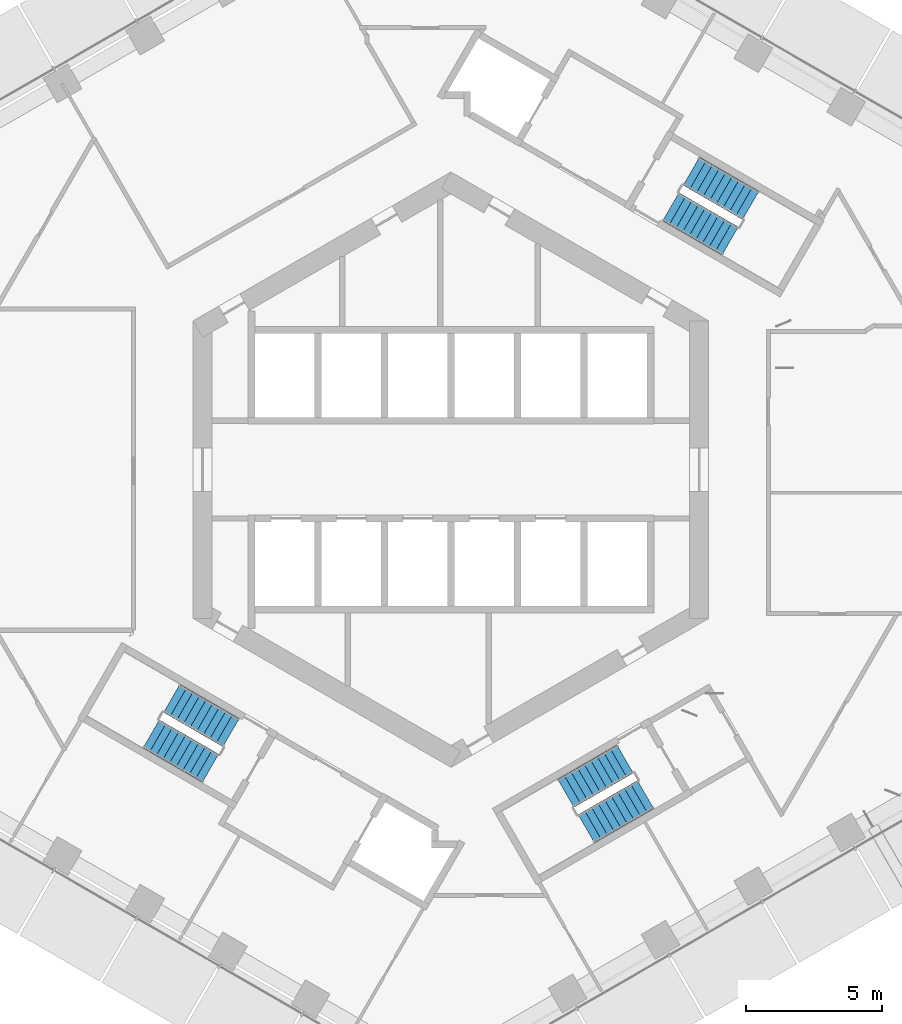
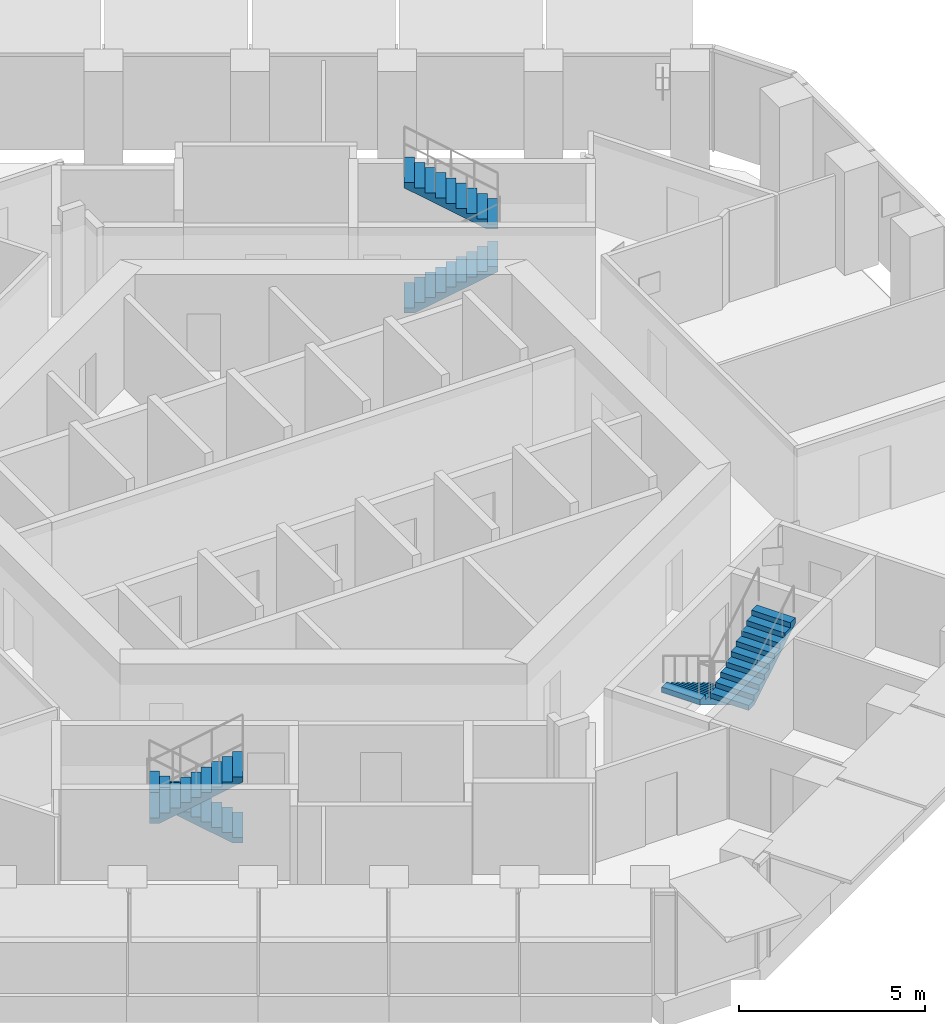
# One storey, part 19 of 21: 6 stair flights, 3 elements without a shape of their own.
"""IFC4 building model written with IfcOpenShell, lengths in metres."""

import ifcopenshell
import ifcopenshell.guid

model = None  # the IFC model being written
_history = None  # IfcOwnerHistory: only IFC2X3 demands one
_inside = {}  # id of a spatial element -> (the spatial element, [elements in it])
_under = {}  # id of a project, library or spatial element -> (it, [spatial elements below it])
_declared = {}  # id of a project -> (the project, [libraries it declares])
_typed = {}  # id of a type object -> (the type object, [elements of that type])
_made_of = {}  # id of a material, layer set ... -> (it, [elements and type objects made of it])


def new_model(schema):
    """Start an empty IFC model of exactly this schema.

    Asked for "IFC4X3", IfcOpenShell would pick the latest addendum, in which some entities
    have other attributes; the version numbers below select the first issue.
    IFC2X3 requires an IfcOwnerHistory on every rooted entity: one is made here for all.
    """
    global model, _history
    if schema == "IFC4X3":
        model = ifcopenshell.file(schema_version=(4, 3, 0, 0))
    else:
        model = ifcopenshell.file(schema=schema)
    _inside.clear()
    _under.clear()
    _declared.clear()
    _typed.clear()
    _made_of.clear()
    _history = None
    if model.schema == "IFC2X3":
        org = make("IfcOrganization", Name="unknown")
        user = make(
            "IfcPersonAndOrganization",
            ThePerson=make("IfcPerson", FamilyName="unknown"),
            TheOrganization=org,
        )
        app = make(
            "IfcApplication",
            ApplicationDeveloper=org,
            Version="unknown",
            ApplicationFullName="unknown",
            ApplicationIdentifier="unknown",
        )
        _history = make(
            "IfcOwnerHistory",
            OwningUser=user,
            OwningApplication=app,
            ChangeAction="ADDED",
            CreationDate=0,
        )
    return model


def make(cls, **values):
    """One entity of the class cls with the attributes given. An attribute that is None is left unset."""
    return model.create_entity(
        cls, **{name: value for name, value in values.items() if value is not None}
    )


def rooted(cls, **values):
    """An entity with a GlobalId (a new one), such as an element, a storey or a relation."""
    return make(cls, GlobalId=ifcopenshell.guid.new(), OwnerHistory=_history, **values)


def si_unit(unit_type, name, prefix=None):
    """IfcSIUnit, for example si_unit("LENGTHUNIT", "METRE", prefix="MILLI")."""
    return make("IfcSIUnit", UnitType=unit_type, Prefix=prefix, Name=name)


def assignment(units):
    """IfcUnitAssignment: the units of a project."""
    return None if units is None else make("IfcUnitAssignment", Units=units)


def point(xyz):
    """IfcCartesianPoint."""
    return None if xyz is None else make("IfcCartesianPoint", Coordinates=xyz)


def direction(xyz):
    """IfcDirection."""
    return None if xyz is None else make("IfcDirection", DirectionRatios=xyz)


def frame(location, z_axis=None, x_axis=None):
    """IfcAxis2Placement3D, a coordinate frame: its origin and axes. An axis left out is left unset."""
    return make(
        "IfcAxis2Placement3D",
        Location=point(location),
        Axis=direction(z_axis),
        RefDirection=direction(x_axis),
    )


def origin():
    """The frame at (0, 0, 0) with its axes left unset."""
    return frame((0.0, 0.0, 0.0))


def place(relative_to, where):
    """IfcLocalPlacement: puts the frame where relative to a parent placement (None: the world)."""
    return make(
        "IfcLocalPlacement", PlacementRelTo=relative_to, RelativePlacement=where
    )


def context(
    kind, dimensions, precision=None, world=None, true_north=None, identifier=None
):
    """IfcGeometricRepresentationContext, for example the 3D "Model" context."""
    return make(
        "IfcGeometricRepresentationContext",
        ContextIdentifier=identifier,
        ContextType=kind,
        CoordinateSpaceDimension=dimensions,
        Precision=precision,
        WorldCoordinateSystem=world,
        TrueNorth=true_north,
    )


def subcontext(parent, identifier, kind, view, scale=None):
    """IfcGeometricRepresentationSubContext, for example "Body" below "Model"."""
    return make(
        "IfcGeometricRepresentationSubContext",
        ContextIdentifier=identifier,
        ContextType=kind,
        ParentContext=parent,
        TargetScale=scale,
        TargetView=view,
    )


def project(units=None, contexts=None):
    """IfcProject with its units and contexts."""
    return rooted(
        "IfcProject",
        Name="project",
        RepresentationContexts=contexts,
        UnitsInContext=assignment(units),
    )


def spatial(cls, under=None, at=None, **own):
    """A site, building, storey or space (cls), placed at a placement, below another one or the project."""
    s = rooted(cls, ObjectPlacement=at, **own)
    if under is not None:
        _under.setdefault(under.id(), (under, []))[1].append(s)
    return s


def point_list(points):
    """IfcCartesianPointList2D or 3D."""
    cls = (
        "IfcCartesianPointList2D" if len(points[0]) == 2 else "IfcCartesianPointList3D"
    )
    return make(cls, CoordList=points)


def triangles(points, corners, closed=None, point_numbers=None):
    """IfcTriangulatedFaceSet: each triangle names its three corners, points numbered from 1."""
    return make(
        "IfcTriangulatedFaceSet",
        Coordinates=point_list(points),
        Closed=closed,
        CoordIndex=corners,
        PnIndex=point_numbers,
    )


def shape(context_of_items, identifier, shape_type, items):
    """IfcShapeRepresentation: the items that make up one representation, for example the "Body"."""
    return make(
        "IfcShapeRepresentation",
        ContextOfItems=context_of_items,
        RepresentationIdentifier=identifier,
        RepresentationType=shape_type,
        Items=items,
    )


def material(Name=None, Category=None):
    """IfcMaterial."""
    return make("IfcMaterial", Name=Name, Category=Category)


def made_of(thing, what):
    """Note that an element or type object is made of a material, layer set ...; save() writes the relation."""
    if what is not None:
        _made_of.setdefault(what.id(), (what, []))[1].append(thing)
    return thing


def type_object(cls, material=None, **own):
    """A type object (cls), such as IfcWallType, which elements share."""
    return made_of(rooted(cls, **own), material)


def element(
    cls,
    number,
    at=None,
    inside=None,
    cuts=None,
    type_object=None,
    material=None,
    context=None,
    identifier="Body",
    shape_type=None,
    held_by="IfcProductDefinitionShape",
    body=None,
    shapes=None,
    **own,
):
    """One element of the class cls, such as IfcWall. Its Tag is "e" and its number.

    at: its placement. inside: the storey or other place that contains it. cuts: it is an
    opening in that element (IfcRelVoidsElement). A single representation is given by context,
    identifier, shape_type and body (its items); several are given by shapes. held_by: the class
    of the entity that holds the representations. save() writes the other relations.
    """
    e = rooted(cls, Tag="e%d" % number, ObjectPlacement=at, **own)
    if body is not None:
        shapes = [shape(context, identifier, shape_type, body)]
    if shapes is not None:
        e.Representation = make(held_by, Representations=shapes)
    if inside is not None:
        _inside.setdefault(inside.id(), (inside, []))[1].append(e)
    if cuts is not None:
        rooted(
            "IfcRelVoidsElement", RelatingBuildingElement=cuts, RelatedOpeningElement=e
        )
    if type_object is not None:
        _typed.setdefault(type_object.id(), (type_object, []))[1].append(e)
    return made_of(e, material)


def aggregate(whole, parts):
    """IfcRelAggregates: a whole, such as a stair, and the parts it consists of."""
    return rooted("IfcRelAggregates", RelatingObject=whole, RelatedObjects=parts)


def save(model, path):
    """Write the relations noted so far, then the file.

    IfcRelAggregates (storeys below a building ...), IfcRelContainedInSpatialStructure (elements
    in a storey), IfcRelDefinesByType, IfcRelAssociatesMaterial and IfcRelDeclares: one each for
    every whole, place, type object, material and project.
    """
    for whole, parts in _under.values():
        aggregate(whole, parts)
    for where, things in _inside.values():
        rooted(
            "IfcRelContainedInSpatialStructure",
            RelatedElements=things,
            RelatingStructure=where,
        )
    for kind, things in _typed.values():
        rooted("IfcRelDefinesByType", RelatedObjects=things, RelatingType=kind)
    for what, things in _made_of.values():
        rooted("IfcRelAssociatesMaterial", RelatedObjects=things, RelatingMaterial=what)
    for by, libraries in _declared.values():
        rooted("IfcRelDeclares", RelatingContext=by, RelatedDefinitions=libraries)
    model.write(path)


model = new_model("IFC4")

# Units and contexts
model_context = context("Model", 3, precision=1e-05, world=origin(), true_north=direction((0.0, 1.0)))
body_context = subcontext(model_context, "Body", "Model", "MODEL_VIEW")
ifc_project = project(units=[si_unit("LENGTHUNIT", "METRE"), si_unit("AREAUNIT", "SQUARE_METRE"), si_unit("VOLUMEUNIT", "CUBIC_METRE"), si_unit("PLANEANGLEUNIT", "RADIAN"), si_unit("MASSUNIT", "GRAM", prefix="KILO")], contexts=[model_context])

# Site, building, storey
site_placement = place(None, origin())
site = spatial("IfcSite", under=ifc_project, at=site_placement, CompositionType="ELEMENT")
building_placement = place(site_placement, origin())
building = spatial("IfcBuilding", under=site, at=building_placement, Name="Ayvan Gate Tower", CompositionType="ELEMENT")
storey_placement = place(building_placement, frame((0.0, 0.0, 117.10009765625)))
storey = spatial("IfcBuildingStorey", under=building, at=storey_placement, Name="L31", CompositionType="ELEMENT", Elevation=117.10009765625)

# Stair, stair flights
ifc_material = material(Name="Concrete C40/50", Category="concrete")
stair_type = type_object("IfcStairType", Name="ST-EXIT", PredefinedType="HALF_TURN_STAIR", material=ifc_material)
stair_1_placement = place(storey_placement, origin())
stair_1 = element("IfcStair", 1, at=stair_1_placement, inside=storey, type_object=stair_type, Name="L31 Exit Stair S1", PredefinedType="HALF_TURN_STAIR")
stair_flight_type = type_object("IfcStairFlightType", Name="SFL-EXIT", PredefinedType="STRAIGHT", material=ifc_material)
stair_flight_1_placement = place(storey_placement, frame((8.106201171875, 9.690185546875, 0.0), z_axis=(0.0, 0.0, 1.0), x_axis=(0.866025403784, -0.5, 0.0)))
stair_flight_1 = element("IfcStairFlight", 2, at=stair_flight_1_placement, type_object=stair_flight_type, Name="STS1 flight 1", NumberOfRisers=10, NumberOfTreads=9, PredefinedType="STRAIGHT", RiserHeight=0.17, TreadLength=0.28, context=body_context, shape_type="Tessellation", body=[
    triangles([(0.288841, -0.599976, 0.0), (2.5205, -0.599976, 1.354936), (2.5205, -0.599976, 1.53), (2.24, -0.599976, 1.53), (2.24, -0.599976, 1.36), (1.96, -0.599976, 1.36), (1.96, -0.599976, 1.19), (1.68, -0.599976, 1.19), (1.68, -0.599976, 1.02), (1.4, -0.599976, 1.02), (1.4, -0.599976, 0.85), (1.12, -0.599976, 0.85), (1.12, -0.599976, 0.68), (0.84, -0.599976, 0.68), (0.84, -0.599976, 0.51), (0.56, -0.599976, 0.51), (0.56, -0.599976, 0.34), (0.28, -0.599976, 0.34), (0.28, -0.599976, 0.17), (-0.0005, -0.599976, 0.17), (-0.0005, -0.599976, 0.0), (0.288841, 0.0, 0.0), (2.5205, 0.0, 1.354936), (2.5205, 0.0, 1.53), (2.24, 0.0, 1.53), (2.24, 0.0, 1.36), (1.96, 0.0, 1.36), (1.96, 0.0, 1.19), (1.68, 0.0, 1.19), (1.68, 0.0, 1.02), (1.4, 0.0, 1.02), (1.4, 0.0, 0.85), (1.12, 0.0, 0.85), (1.12, 0.0, 0.68), (0.84, 0.0, 0.68), (0.84, 0.0, 0.51), (0.56, 0.0, 0.51), (0.56, 0.0, 0.34), (0.28, 0.0, 0.34), (0.28, 0.0, 0.17), (-0.0005, 0.0, 0.17), (-0.0005, 0.0, 0.0), (0.288841, 0.599976, 0.0), (2.5205, 0.599976, 1.354936), (2.5205, 0.599976, 1.53), (2.24, 0.599976, 1.53), (2.24, 0.599976, 1.36), (1.96, 0.599976, 1.36), (1.96, 0.599976, 1.19), (1.68, 0.599976, 1.19), (1.68, 0.599976, 1.02), (1.4, 0.599976, 1.02), (1.4, 0.599976, 0.85), (1.12, 0.599976, 0.85), (1.12, 0.599976, 0.68), (0.84, 0.599976, 0.68), (0.84, 0.599976, 0.51), (0.56, 0.599976, 0.51), (0.56, 0.599976, 0.34), (0.28, 0.599976, 0.34), (0.28, 0.599976, 0.17), (-0.0005, 0.599976, 0.17), (-0.0005, 0.599976, 0.0)], [[21, 1, 2], [63, 44, 43], [2, 3, 4], [44, 46, 45], [2, 4, 5], [44, 47, 46], [2, 5, 6], [44, 48, 47], [2, 6, 7], [44, 49, 48], [7, 8, 9], [49, 51, 50], [2, 7, 9], [44, 51, 49], [9, 10, 11], [51, 53, 52], [2, 9, 11], [44, 53, 51], [11, 12, 13], [53, 55, 54], [2, 11, 13], [44, 55, 53], [13, 14, 15], [55, 57, 56], [2, 13, 15], [44, 57, 55], [15, 16, 17], [57, 59, 58], [2, 15, 17], [44, 59, 57], [17, 18, 19], [59, 61, 60], [2, 17, 19], [44, 61, 59], [21, 2, 19], [63, 61, 44], [19, 20, 21], [61, 63, 62], [1, 22, 23], [1, 23, 2], [43, 23, 22], [43, 44, 23], [2, 23, 24], [2, 24, 3], [44, 24, 23], [44, 45, 24], [3, 24, 25], [3, 25, 4], [45, 25, 24], [45, 46, 25], [4, 25, 26], [4, 26, 5], [46, 26, 25], [46, 47, 26], [5, 26, 27], [5, 27, 6], [47, 27, 26], [47, 48, 27], [6, 27, 28], [6, 28, 7], [48, 28, 27], [48, 49, 28], [7, 28, 29], [7, 29, 8], [49, 29, 28], [49, 50, 29], [8, 29, 30], [8, 30, 9], [50, 30, 29], [50, 51, 30], [9, 30, 31], [9, 31, 10], [51, 31, 30], [51, 52, 31], [10, 31, 32], [10, 32, 11], [52, 32, 31], [52, 53, 32], [11, 32, 33], [11, 33, 12], [53, 33, 32], [53, 54, 33], [12, 33, 34], [12, 34, 13], [54, 34, 33], [54, 55, 34], [13, 34, 35], [13, 35, 14], [55, 35, 34], [55, 56, 35], [14, 35, 36], [14, 36, 15], [56, 36, 35], [56, 57, 36], [15, 36, 37], [15, 37, 16], [57, 37, 36], [57, 58, 37], [16, 37, 38], [16, 38, 17], [58, 38, 37], [58, 59, 38], [17, 38, 39], [17, 39, 18], [59, 39, 38], [59, 60, 39], [18, 39, 40], [18, 40, 19], [60, 40, 39], [60, 61, 40], [19, 40, 41], [19, 41, 20], [61, 41, 40], [61, 62, 41], [20, 41, 42], [20, 42, 21], [62, 42, 41], [62, 63, 42], [21, 42, 22], [21, 22, 1], [63, 22, 42], [63, 43, 22]], closed=True),
])
stair_flight_2_placement = place(storey_placement, frame((11.04345703125, 9.73779296875, 1.699951171875), z_axis=(0.0, 0.0, 1.0), x_axis=(-0.866025403784, 0.5, 0.0)))
stair_flight_2 = element("IfcStairFlight", 3, at=stair_flight_2_placement, type_object=stair_flight_type, Name="STS1 flight 2", NumberOfRisers=10, NumberOfTreads=9, PredefinedType="STRAIGHT", RiserHeight=0.17, TreadLength=0.28, context=body_context, shape_type="Tessellation", body=[
    triangles([(0.288841, -0.599976, 0.0), (2.5205, -0.599976, 1.354936), (2.5205, -0.599976, 1.53), (2.24, -0.599976, 1.53), (2.24, -0.599976, 1.36), (1.96, -0.599976, 1.36), (1.96, -0.599976, 1.19), (1.68, -0.599976, 1.19), (1.68, -0.599976, 1.02), (1.4, -0.599976, 1.02), (1.4, -0.599976, 0.85), (1.12, -0.599976, 0.85), (1.12, -0.599976, 0.68), (0.84, -0.599976, 0.68), (0.84, -0.599976, 0.51), (0.56, -0.599976, 0.51), (0.56, -0.599976, 0.34), (0.28, -0.599976, 0.34), (0.28, -0.599976, 0.17), (-0.0005, -0.599976, 0.17), (-0.0005, -0.599976, 0.0), (0.288841, 0.0, 0.0), (2.5205, 0.0, 1.354936), (2.5205, 0.0, 1.53), (2.24, 0.0, 1.53), (2.24, 0.0, 1.36), (1.96, 0.0, 1.36), (1.96, 0.0, 1.19), (1.68, 0.0, 1.19), (1.68, 0.0, 1.02), (1.4, 0.0, 1.02), (1.4, 0.0, 0.85), (1.12, 0.0, 0.85), (1.12, 0.0, 0.68), (0.84, 0.0, 0.68), (0.84, 0.0, 0.51), (0.56, 0.0, 0.51), (0.56, 0.0, 0.34), (0.28, 0.0, 0.34), (0.28, 0.0, 0.17), (-0.0005, 0.0, 0.17), (-0.0005, 0.0, 0.0), (0.288841, 0.599976, 0.0), (2.5205, 0.599976, 1.354936), (2.5205, 0.599976, 1.53), (2.24, 0.599976, 1.53), (2.24, 0.599976, 1.36), (1.96, 0.599976, 1.36), (1.96, 0.599976, 1.19), (1.68, 0.599976, 1.19), (1.68, 0.599976, 1.02), (1.4, 0.599976, 1.02), (1.4, 0.599976, 0.85), (1.12, 0.599976, 0.85), (1.12, 0.599976, 0.68), (0.84, 0.599976, 0.68), (0.84, 0.599976, 0.51), (0.56, 0.599976, 0.51), (0.56, 0.599976, 0.34), (0.28, 0.599976, 0.34), (0.28, 0.599976, 0.17), (-0.0005, 0.599976, 0.17), (-0.0005, 0.599976, 0.0)], [[21, 1, 2], [63, 44, 43], [2, 3, 4], [44, 46, 45], [2, 4, 5], [44, 47, 46], [2, 5, 6], [44, 48, 47], [2, 6, 7], [44, 49, 48], [7, 8, 9], [49, 51, 50], [2, 7, 9], [44, 51, 49], [9, 10, 11], [51, 53, 52], [2, 9, 11], [44, 53, 51], [11, 12, 13], [53, 55, 54], [2, 11, 13], [44, 55, 53], [13, 14, 15], [55, 57, 56], [2, 13, 15], [44, 57, 55], [15, 16, 17], [57, 59, 58], [2, 15, 17], [44, 59, 57], [17, 18, 19], [59, 61, 60], [2, 17, 19], [44, 61, 59], [21, 2, 19], [63, 61, 44], [19, 20, 21], [61, 63, 62], [1, 22, 23], [1, 23, 2], [43, 23, 22], [43, 44, 23], [2, 23, 24], [2, 24, 3], [44, 24, 23], [44, 45, 24], [3, 24, 25], [3, 25, 4], [45, 25, 24], [45, 46, 25], [4, 25, 26], [4, 26, 5], [46, 26, 25], [46, 47, 26], [5, 26, 27], [5, 27, 6], [47, 27, 26], [47, 48, 27], [6, 27, 28], [6, 28, 7], [48, 28, 27], [48, 49, 28], [7, 28, 29], [7, 29, 8], [49, 29, 28], [49, 50, 29], [8, 29, 30], [8, 30, 9], [50, 30, 29], [50, 51, 30], [9, 30, 31], [9, 31, 10], [51, 31, 30], [51, 52, 31], [10, 31, 32], [10, 32, 11], [52, 32, 31], [52, 53, 32], [11, 32, 33], [11, 33, 12], [53, 33, 32], [53, 54, 33], [12, 33, 34], [12, 34, 13], [54, 34, 33], [54, 55, 34], [13, 34, 35], [13, 35, 14], [55, 35, 34], [55, 56, 35], [14, 35, 36], [14, 36, 15], [56, 36, 35], [56, 57, 36], [15, 36, 37], [15, 37, 16], [57, 37, 36], [57, 58, 37], [16, 37, 38], [16, 38, 17], [58, 38, 37], [58, 59, 38], [17, 38, 39], [17, 39, 18], [59, 39, 38], [59, 60, 39], [18, 39, 40], [18, 40, 19], [60, 40, 39], [60, 61, 40], [19, 40, 41], [19, 41, 20], [61, 41, 40], [61, 62, 41], [20, 41, 42], [20, 42, 21], [62, 42, 41], [62, 63, 42], [21, 42, 22], [21, 22, 1], [63, 22, 42], [63, 43, 22]], closed=True),
])
aggregate(stair_1, [stair_flight_1, stair_flight_2])

stair_2_placement = place(storey_placement, origin())
stair_2 = element("IfcStair", 4, at=stair_2_placement, inside=storey, type_object=stair_type, Name="L31 Exit Stair S2", PredefinedType="HALF_TURN_STAIR")
stair_flight_3_placement = place(storey_placement, frame((-8.106201171875, -9.690185546875, 0.0), z_axis=(0.0, 0.0, 1.0), x_axis=(-0.866025403784, 0.5, 0.0)))
stair_flight_3 = element("IfcStairFlight", 5, at=stair_flight_3_placement, type_object=stair_flight_type, Name="STS2 flight 1", NumberOfRisers=10, NumberOfTreads=9, PredefinedType="STRAIGHT", RiserHeight=0.17, TreadLength=0.28, context=body_context, shape_type="Tessellation", body=[
    triangles([(0.288841, -0.599976, 0.0), (2.5205, -0.599976, 1.354936), (2.5205, -0.599976, 1.53), (2.24, -0.599976, 1.53), (2.24, -0.599976, 1.36), (1.96, -0.599976, 1.36), (1.96, -0.599976, 1.19), (1.68, -0.599976, 1.19), (1.68, -0.599976, 1.02), (1.4, -0.599976, 1.02), (1.4, -0.599976, 0.85), (1.12, -0.599976, 0.85), (1.12, -0.599976, 0.68), (0.84, -0.599976, 0.68), (0.84, -0.599976, 0.51), (0.56, -0.599976, 0.51), (0.56, -0.599976, 0.34), (0.28, -0.599976, 0.34), (0.28, -0.599976, 0.17), (-0.0005, -0.599976, 0.17), (-0.0005, -0.599976, 0.0), (0.288841, 0.0, 0.0), (2.5205, 0.0, 1.354936), (2.5205, 0.0, 1.53), (2.24, 0.0, 1.53), (2.24, 0.0, 1.36), (1.96, 0.0, 1.36), (1.96, 0.0, 1.19), (1.68, 0.0, 1.19), (1.68, 0.0, 1.02), (1.4, 0.0, 1.02), (1.4, 0.0, 0.85), (1.12, 0.0, 0.85), (1.12, 0.0, 0.68), (0.84, 0.0, 0.68), (0.84, 0.0, 0.51), (0.56, 0.0, 0.51), (0.56, 0.0, 0.34), (0.28, 0.0, 0.34), (0.28, 0.0, 0.17), (-0.0005, 0.0, 0.17), (-0.0005, 0.0, 0.0), (0.288841, 0.599976, 0.0), (2.5205, 0.599976, 1.354936), (2.5205, 0.599976, 1.53), (2.24, 0.599976, 1.53), (2.24, 0.599976, 1.36), (1.96, 0.599976, 1.36), (1.96, 0.599976, 1.19), (1.68, 0.599976, 1.19), (1.68, 0.599976, 1.02), (1.4, 0.599976, 1.02), (1.4, 0.599976, 0.85), (1.12, 0.599976, 0.85), (1.12, 0.599976, 0.68), (0.84, 0.599976, 0.68), (0.84, 0.599976, 0.51), (0.56, 0.599976, 0.51), (0.56, 0.599976, 0.34), (0.28, 0.599976, 0.34), (0.28, 0.599976, 0.17), (-0.0005, 0.599976, 0.17), (-0.0005, 0.599976, 0.0)], [[21, 1, 2], [63, 44, 43], [2, 3, 4], [44, 46, 45], [2, 4, 5], [44, 47, 46], [2, 5, 6], [44, 48, 47], [2, 6, 7], [44, 49, 48], [7, 8, 9], [49, 51, 50], [2, 7, 9], [44, 51, 49], [9, 10, 11], [51, 53, 52], [2, 9, 11], [44, 53, 51], [11, 12, 13], [53, 55, 54], [2, 11, 13], [44, 55, 53], [13, 14, 15], [55, 57, 56], [2, 13, 15], [44, 57, 55], [15, 16, 17], [57, 59, 58], [2, 15, 17], [44, 59, 57], [17, 18, 19], [59, 61, 60], [2, 17, 19], [44, 61, 59], [21, 2, 19], [63, 61, 44], [19, 20, 21], [61, 63, 62], [1, 22, 23], [1, 23, 2], [43, 23, 22], [43, 44, 23], [2, 23, 24], [2, 24, 3], [44, 24, 23], [44, 45, 24], [3, 24, 25], [3, 25, 4], [45, 25, 24], [45, 46, 25], [4, 25, 26], [4, 26, 5], [46, 26, 25], [46, 47, 26], [5, 26, 27], [5, 27, 6], [47, 27, 26], [47, 48, 27], [6, 27, 28], [6, 28, 7], [48, 28, 27], [48, 49, 28], [7, 28, 29], [7, 29, 8], [49, 29, 28], [49, 50, 29], [8, 29, 30], [8, 30, 9], [50, 30, 29], [50, 51, 30], [9, 30, 31], [9, 31, 10], [51, 31, 30], [51, 52, 31], [10, 31, 32], [10, 32, 11], [52, 32, 31], [52, 53, 32], [11, 32, 33], [11, 33, 12], [53, 33, 32], [53, 54, 33], [12, 33, 34], [12, 34, 13], [54, 34, 33], [54, 55, 34], [13, 34, 35], [13, 35, 14], [55, 35, 34], [55, 56, 35], [14, 35, 36], [14, 36, 15], [56, 36, 35], [56, 57, 36], [15, 36, 37], [15, 37, 16], [57, 37, 36], [57, 58, 37], [16, 37, 38], [16, 38, 17], [58, 38, 37], [58, 59, 38], [17, 38, 39], [17, 39, 18], [59, 39, 38], [59, 60, 39], [18, 39, 40], [18, 40, 19], [60, 40, 39], [60, 61, 40], [19, 40, 41], [19, 41, 20], [61, 41, 40], [61, 62, 41], [20, 41, 42], [20, 42, 21], [62, 42, 41], [62, 63, 42], [21, 42, 22], [21, 22, 1], [63, 22, 42], [63, 43, 22]], closed=True),
])
stair_flight_4_placement = place(storey_placement, frame((-11.04345703125, -9.73779296875, 1.699951171875), z_axis=(0.0, 0.0, 1.0), x_axis=(0.866025403784, -0.5, 0.0)))
stair_flight_4 = element("IfcStairFlight", 6, at=stair_flight_4_placement, type_object=stair_flight_type, Name="STS2 flight 2", NumberOfRisers=10, NumberOfTreads=9, PredefinedType="STRAIGHT", RiserHeight=0.17, TreadLength=0.28, context=body_context, shape_type="Tessellation", body=[
    triangles([(0.288841, -0.599976, 0.0), (2.5205, -0.599976, 1.354936), (2.5205, -0.599976, 1.53), (2.24, -0.599976, 1.53), (2.24, -0.599976, 1.36), (1.96, -0.599976, 1.36), (1.96, -0.599976, 1.19), (1.68, -0.599976, 1.19), (1.68, -0.599976, 1.02), (1.4, -0.599976, 1.02), (1.4, -0.599976, 0.85), (1.12, -0.599976, 0.85), (1.12, -0.599976, 0.68), (0.84, -0.599976, 0.68), (0.84, -0.599976, 0.51), (0.56, -0.599976, 0.51), (0.56, -0.599976, 0.34), (0.28, -0.599976, 0.34), (0.28, -0.599976, 0.17), (-0.0005, -0.599976, 0.17), (-0.0005, -0.599976, 0.0), (0.288841, 0.0, 0.0), (2.5205, 0.0, 1.354936), (2.5205, 0.0, 1.53), (2.24, 0.0, 1.53), (2.24, 0.0, 1.36), (1.96, 0.0, 1.36), (1.96, 0.0, 1.19), (1.68, 0.0, 1.19), (1.68, 0.0, 1.02), (1.4, 0.0, 1.02), (1.4, 0.0, 0.85), (1.12, 0.0, 0.85), (1.12, 0.0, 0.68), (0.84, 0.0, 0.68), (0.84, 0.0, 0.51), (0.56, 0.0, 0.51), (0.56, 0.0, 0.34), (0.28, 0.0, 0.34), (0.28, 0.0, 0.17), (-0.0005, 0.0, 0.17), (-0.0005, 0.0, 0.0), (0.288841, 0.599976, 0.0), (2.5205, 0.599976, 1.354936), (2.5205, 0.599976, 1.53), (2.24, 0.599976, 1.53), (2.24, 0.599976, 1.36), (1.96, 0.599976, 1.36), (1.96, 0.599976, 1.19), (1.68, 0.599976, 1.19), (1.68, 0.599976, 1.02), (1.4, 0.599976, 1.02), (1.4, 0.599976, 0.85), (1.12, 0.599976, 0.85), (1.12, 0.599976, 0.68), (0.84, 0.599976, 0.68), (0.84, 0.599976, 0.51), (0.56, 0.599976, 0.51), (0.56, 0.599976, 0.34), (0.28, 0.599976, 0.34), (0.28, 0.599976, 0.17), (-0.0005, 0.599976, 0.17), (-0.0005, 0.599976, 0.0)], [[21, 1, 2], [63, 44, 43], [2, 3, 4], [44, 46, 45], [2, 4, 5], [44, 47, 46], [2, 5, 6], [44, 48, 47], [2, 6, 7], [44, 49, 48], [7, 8, 9], [49, 51, 50], [2, 7, 9], [44, 51, 49], [9, 10, 11], [51, 53, 52], [2, 9, 11], [44, 53, 51], [11, 12, 13], [53, 55, 54], [2, 11, 13], [44, 55, 53], [13, 14, 15], [55, 57, 56], [2, 13, 15], [44, 57, 55], [15, 16, 17], [57, 59, 58], [2, 15, 17], [44, 59, 57], [17, 18, 19], [59, 61, 60], [2, 17, 19], [44, 61, 59], [21, 2, 19], [63, 61, 44], [19, 20, 21], [61, 63, 62], [1, 22, 23], [1, 23, 2], [43, 23, 22], [43, 44, 23], [2, 23, 24], [2, 24, 3], [44, 24, 23], [44, 45, 24], [3, 24, 25], [3, 25, 4], [45, 25, 24], [45, 46, 25], [4, 25, 26], [4, 26, 5], [46, 26, 25], [46, 47, 26], [5, 26, 27], [5, 27, 6], [47, 27, 26], [47, 48, 27], [6, 27, 28], [6, 28, 7], [48, 28, 27], [48, 49, 28], [7, 28, 29], [7, 29, 8], [49, 29, 28], [49, 50, 29], [8, 29, 30], [8, 30, 9], [50, 30, 29], [50, 51, 30], [9, 30, 31], [9, 31, 10], [51, 31, 30], [51, 52, 31], [10, 31, 32], [10, 32, 11], [52, 32, 31], [52, 53, 32], [11, 32, 33], [11, 33, 12], [53, 33, 32], [53, 54, 33], [12, 33, 34], [12, 34, 13], [54, 34, 33], [54, 55, 34], [13, 34, 35], [13, 35, 14], [55, 35, 34], [55, 56, 35], [14, 35, 36], [14, 36, 15], [56, 36, 35], [56, 57, 36], [15, 36, 37], [15, 37, 16], [57, 37, 36], [57, 58, 37], [16, 37, 38], [16, 38, 17], [58, 38, 37], [58, 59, 38], [17, 38, 39], [17, 39, 18], [59, 39, 38], [59, 60, 39], [18, 39, 40], [18, 40, 19], [60, 40, 39], [60, 61, 40], [19, 40, 41], [19, 41, 20], [61, 41, 40], [61, 62, 41], [20, 41, 42], [20, 42, 21], [62, 42, 41], [62, 63, 42], [21, 42, 22], [21, 22, 1], [63, 22, 42], [63, 43, 22]], closed=True),
])
aggregate(stair_2, [stair_flight_3, stair_flight_4])

stair_3_placement = place(storey_placement, origin())
stair_3 = element("IfcStair", 7, at=stair_3_placement, inside=storey, type_object=stair_type, Name="L31 Exit Stair S3", PredefinedType="HALF_TURN_STAIR")
stair_flight_5_placement = place(storey_placement, frame((6.417236328125, -10.665283203125, 0.0), z_axis=(0.0, 0.0, 1.0), x_axis=(-0.866025403784, -0.5, 0.0)))
stair_flight_5 = element("IfcStairFlight", 8, at=stair_flight_5_placement, type_object=stair_flight_type, Name="STS3 flight 1", NumberOfRisers=10, NumberOfTreads=9, PredefinedType="STRAIGHT", RiserHeight=0.17, TreadLength=0.28, context=body_context, shape_type="Tessellation", body=[
    triangles([(0.288841, -0.599976, 0.0), (2.5205, -0.599976, 1.354936), (2.5205, -0.599976, 1.53), (2.24, -0.599976, 1.53), (2.24, -0.599976, 1.36), (1.96, -0.599976, 1.36), (1.96, -0.599976, 1.19), (1.68, -0.599976, 1.19), (1.68, -0.599976, 1.02), (1.4, -0.599976, 1.02), (1.4, -0.599976, 0.85), (1.12, -0.599976, 0.85), (1.12, -0.599976, 0.68), (0.84, -0.599976, 0.68), (0.84, -0.599976, 0.51), (0.56, -0.599976, 0.51), (0.56, -0.599976, 0.34), (0.28, -0.599976, 0.34), (0.28, -0.599976, 0.17), (-0.0005, -0.599976, 0.17), (-0.0005, -0.599976, 0.0), (0.288841, 0.0, 0.0), (2.5205, 0.0, 1.354936), (2.5205, 0.0, 1.53), (2.24, 0.0, 1.53), (2.24, 0.0, 1.36), (1.96, 0.0, 1.36), (1.96, 0.0, 1.19), (1.68, 0.0, 1.19), (1.68, 0.0, 1.02), (1.4, 0.0, 1.02), (1.4, 0.0, 0.85), (1.12, 0.0, 0.85), (1.12, 0.0, 0.68), (0.84, 0.0, 0.68), (0.84, 0.0, 0.51), (0.56, 0.0, 0.51), (0.56, 0.0, 0.34), (0.28, 0.0, 0.34), (0.28, 0.0, 0.17), (-0.0005, 0.0, 0.17), (-0.0005, 0.0, 0.0), (0.288841, 0.599976, 0.0), (2.5205, 0.599976, 1.354936), (2.5205, 0.599976, 1.53), (2.24, 0.599976, 1.53), (2.24, 0.599976, 1.36), (1.96, 0.599976, 1.36), (1.96, 0.599976, 1.19), (1.68, 0.599976, 1.19), (1.68, 0.599976, 1.02), (1.4, 0.599976, 1.02), (1.4, 0.599976, 0.85), (1.12, 0.599976, 0.85), (1.12, 0.599976, 0.68), (0.84, 0.599976, 0.68), (0.84, 0.599976, 0.51), (0.56, 0.599976, 0.51), (0.56, 0.599976, 0.34), (0.28, 0.599976, 0.34), (0.28, 0.599976, 0.17), (-0.0005, 0.599976, 0.17), (-0.0005, 0.599976, 0.0)], [[21, 1, 2], [63, 44, 43], [2, 3, 4], [44, 46, 45], [2, 4, 5], [44, 47, 46], [2, 5, 6], [44, 48, 47], [2, 6, 7], [44, 49, 48], [7, 8, 9], [49, 51, 50], [2, 7, 9], [44, 51, 49], [9, 10, 11], [51, 53, 52], [2, 9, 11], [44, 53, 51], [11, 12, 13], [53, 55, 54], [2, 11, 13], [44, 55, 53], [13, 14, 15], [55, 57, 56], [2, 13, 15], [44, 57, 55], [15, 16, 17], [57, 59, 58], [2, 15, 17], [44, 59, 57], [17, 18, 19], [59, 61, 60], [2, 17, 19], [44, 61, 59], [21, 2, 19], [63, 61, 44], [19, 20, 21], [61, 63, 62], [1, 22, 23], [1, 23, 2], [43, 23, 22], [43, 44, 23], [2, 23, 24], [2, 24, 3], [44, 24, 23], [44, 45, 24], [3, 24, 25], [3, 25, 4], [45, 25, 24], [45, 46, 25], [4, 25, 26], [4, 26, 5], [46, 26, 25], [46, 47, 26], [5, 26, 27], [5, 27, 6], [47, 27, 26], [47, 48, 27], [6, 27, 28], [6, 28, 7], [48, 28, 27], [48, 49, 28], [7, 28, 29], [7, 29, 8], [49, 29, 28], [49, 50, 29], [8, 29, 30], [8, 30, 9], [50, 30, 29], [50, 51, 30], [9, 30, 31], [9, 31, 10], [51, 31, 30], [51, 52, 31], [10, 31, 32], [10, 32, 11], [52, 32, 31], [52, 53, 32], [11, 32, 33], [11, 33, 12], [53, 33, 32], [53, 54, 33], [12, 33, 34], [12, 34, 13], [54, 34, 33], [54, 55, 34], [13, 34, 35], [13, 35, 14], [55, 35, 34], [55, 56, 35], [14, 35, 36], [14, 36, 15], [56, 36, 35], [56, 57, 36], [15, 36, 37], [15, 37, 16], [57, 37, 36], [57, 58, 37], [16, 37, 38], [16, 38, 17], [58, 38, 37], [58, 59, 38], [17, 38, 39], [17, 39, 18], [59, 39, 38], [59, 60, 39], [18, 39, 40], [18, 40, 19], [60, 40, 39], [60, 61, 40], [19, 40, 41], [19, 41, 20], [61, 41, 40], [61, 62, 41], [20, 41, 42], [20, 42, 21], [62, 42, 41], [62, 63, 42], [21, 42, 22], [21, 22, 1], [63, 22, 42], [63, 43, 22]], closed=True),
])
stair_flight_6_placement = place(storey_placement, frame((4.989990234375, -13.23291015625, 1.699951171875), z_axis=(0.0, 0.0, 1.0), x_axis=(0.866025403784, 0.5, 0.0)))
stair_flight_6 = element("IfcStairFlight", 9, at=stair_flight_6_placement, type_object=stair_flight_type, Name="STS3 flight 2", NumberOfRisers=10, NumberOfTreads=9, PredefinedType="STRAIGHT", RiserHeight=0.17, TreadLength=0.28, context=body_context, shape_type="Tessellation", body=[
    triangles([(0.288841, -0.599976, 0.0), (2.5205, -0.599976, 1.354936), (2.5205, -0.599976, 1.53), (2.24, -0.599976, 1.53), (2.24, -0.599976, 1.36), (1.96, -0.599976, 1.36), (1.96, -0.599976, 1.19), (1.68, -0.599976, 1.19), (1.68, -0.599976, 1.02), (1.4, -0.599976, 1.02), (1.4, -0.599976, 0.85), (1.12, -0.599976, 0.85), (1.12, -0.599976, 0.68), (0.84, -0.599976, 0.68), (0.84, -0.599976, 0.51), (0.56, -0.599976, 0.51), (0.56, -0.599976, 0.34), (0.28, -0.599976, 0.34), (0.28, -0.599976, 0.17), (-0.0005, -0.599976, 0.17), (-0.0005, -0.599976, 0.0), (0.288841, 0.0, 0.0), (2.5205, 0.0, 1.354936), (2.5205, 0.0, 1.53), (2.24, 0.0, 1.53), (2.24, 0.0, 1.36), (1.96, 0.0, 1.36), (1.96, 0.0, 1.19), (1.68, 0.0, 1.19), (1.68, 0.0, 1.02), (1.4, 0.0, 1.02), (1.4, 0.0, 0.85), (1.12, 0.0, 0.85), (1.12, 0.0, 0.68), (0.84, 0.0, 0.68), (0.84, 0.0, 0.51), (0.56, 0.0, 0.51), (0.56, 0.0, 0.34), (0.28, 0.0, 0.34), (0.28, 0.0, 0.17), (-0.0005, 0.0, 0.17), (-0.0005, 0.0, 0.0), (0.288841, 0.599976, 0.0), (2.5205, 0.599976, 1.354936), (2.5205, 0.599976, 1.53), (2.24, 0.599976, 1.53), (2.24, 0.599976, 1.36), (1.96, 0.599976, 1.36), (1.96, 0.599976, 1.19), (1.68, 0.599976, 1.19), (1.68, 0.599976, 1.02), (1.4, 0.599976, 1.02), (1.4, 0.599976, 0.85), (1.12, 0.599976, 0.85), (1.12, 0.599976, 0.68), (0.84, 0.599976, 0.68), (0.84, 0.599976, 0.51), (0.56, 0.599976, 0.51), (0.56, 0.599976, 0.34), (0.28, 0.599976, 0.34), (0.28, 0.599976, 0.17), (-0.0005, 0.599976, 0.17), (-0.0005, 0.599976, 0.0)], [[21, 1, 2], [63, 44, 43], [2, 3, 4], [44, 46, 45], [2, 4, 5], [44, 47, 46], [2, 5, 6], [44, 48, 47], [2, 6, 7], [44, 49, 48], [7, 8, 9], [49, 51, 50], [2, 7, 9], [44, 51, 49], [9, 10, 11], [51, 53, 52], [2, 9, 11], [44, 53, 51], [11, 12, 13], [53, 55, 54], [2, 11, 13], [44, 55, 53], [13, 14, 15], [55, 57, 56], [2, 13, 15], [44, 57, 55], [15, 16, 17], [57, 59, 58], [2, 15, 17], [44, 59, 57], [17, 18, 19], [59, 61, 60], [2, 17, 19], [44, 61, 59], [21, 2, 19], [63, 61, 44], [19, 20, 21], [61, 63, 62], [1, 22, 23], [1, 23, 2], [43, 23, 22], [43, 44, 23], [2, 23, 24], [2, 24, 3], [44, 24, 23], [44, 45, 24], [3, 24, 25], [3, 25, 4], [45, 25, 24], [45, 46, 25], [4, 25, 26], [4, 26, 5], [46, 26, 25], [46, 47, 26], [5, 26, 27], [5, 27, 6], [47, 27, 26], [47, 48, 27], [6, 27, 28], [6, 28, 7], [48, 28, 27], [48, 49, 28], [7, 28, 29], [7, 29, 8], [49, 29, 28], [49, 50, 29], [8, 29, 30], [8, 30, 9], [50, 30, 29], [50, 51, 30], [9, 30, 31], [9, 31, 10], [51, 31, 30], [51, 52, 31], [10, 31, 32], [10, 32, 11], [52, 32, 31], [52, 53, 32], [11, 32, 33], [11, 33, 12], [53, 33, 32], [53, 54, 33], [12, 33, 34], [12, 34, 13], [54, 34, 33], [54, 55, 34], [13, 34, 35], [13, 35, 14], [55, 35, 34], [55, 56, 35], [14, 35, 36], [14, 36, 15], [56, 36, 35], [56, 57, 36], [15, 36, 37], [15, 37, 16], [57, 37, 36], [57, 58, 37], [16, 37, 38], [16, 38, 17], [58, 38, 37], [58, 59, 38], [17, 38, 39], [17, 39, 18], [59, 39, 38], [59, 60, 39], [18, 39, 40], [18, 40, 19], [60, 40, 39], [60, 61, 40], [19, 40, 41], [19, 41, 20], [61, 41, 40], [61, 62, 41], [20, 41, 42], [20, 42, 21], [62, 42, 41], [62, 63, 42], [21, 42, 22], [21, 22, 1], [63, 22, 42], [63, 43, 22]], closed=True),
])
aggregate(stair_3, [stair_flight_5, stair_flight_6])

save(model, "model.ifc")
